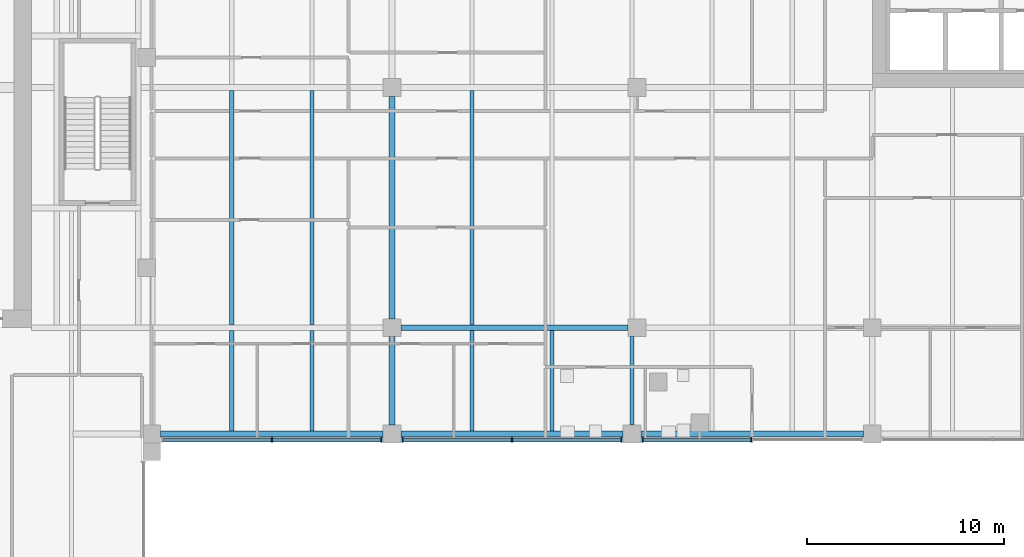
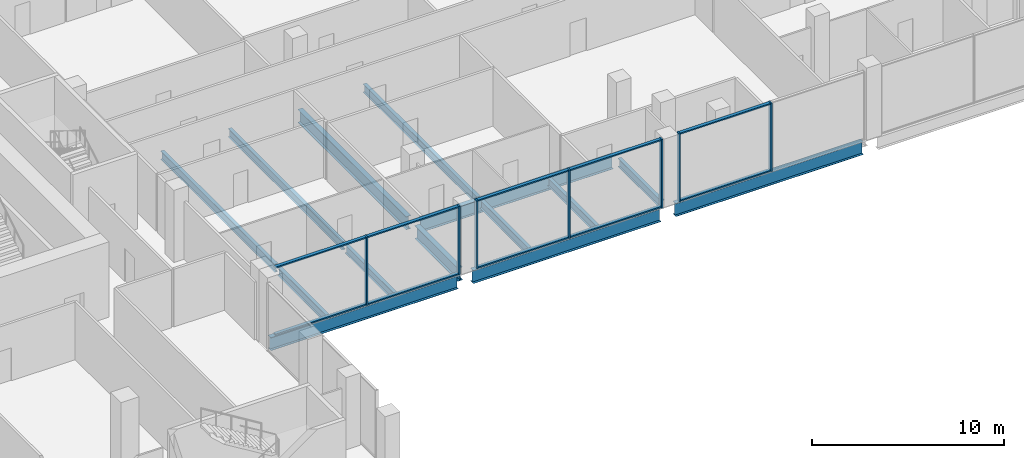
# One storey, part 7 of 33: 17 members, 14 beams, 3 elements without a shape of their own.
"""IFC4 building model written with IfcOpenShell, lengths in metres."""

from ifc_helpers import new_model, si_unit, direction, frame, origin, origin_2d, place, context, subcontext, project, spatial, rectangle, i_section, extrude, material, material_profile, profile_set, type_object, element, aggregate, save


model = new_model("IFC4")

# Units and contexts
model_context = context("Model", 3, precision=1e-05, world=origin(), true_north=direction((0.0, 1.0)))
body_context = subcontext(model_context, "Body", "Model", "MODEL_VIEW")
ifc_project = project(units=[si_unit("LENGTHUNIT", "METRE"), si_unit("AREAUNIT", "SQUARE_METRE"), si_unit("VOLUMEUNIT", "CUBIC_METRE"), si_unit("PLANEANGLEUNIT", "RADIAN"), si_unit("MASSUNIT", "GRAM", prefix="KILO")], contexts=[model_context])

# Site, building, storey
site_placement = place(None, origin())
site = spatial("IfcSite", under=ifc_project, at=site_placement, CompositionType="ELEMENT")
building_placement = place(site_placement, origin())
building = spatial("IfcBuilding", under=site, at=building_placement, Name="Tessera Gate Towers", CompositionType="ELEMENT")
storey_placement = place(building_placement, frame((0.0, 0.0, 12.0)))
storey = spatial("IfcBuildingStorey", under=building, at=storey_placement, Name="L02", CompositionType="ELEMENT", Elevation=12.0)

# Beams
ifc_material_1 = material(Name="Steel 350W", Category="steel")
ifc_material_profile_1 = material_profile(ifc_material_1, i_section(OverallWidth=0.2919921875, OverallDepth=0.8349609375, WebThickness=0.013916015625, FlangeThickness=0.018798828125, at=origin_2d()), Name="W840x176")
ifc_profile_set_1 = profile_set([ifc_material_profile_1], Name="Steel 350W")
beam_type_1 = type_object("IfcBeamType", Name="FLOOR GIRDER W840x176", PredefinedType="BEAM", material=ifc_profile_set_1)
for number, where, z_axis, x_axis, name in (
    (1, (61.449951171875, 19.0, -0.66748046875), (1.0, 0.0, 0.0), (0.0, 1.0, 0.0), "PD-GD-L02-364"),
    (2, (73.64990234375, 19.0, -0.66748046875), (1.0, 0.0, 0.0), (0.0, 1.0, 0.0), "PD-GD-L02-365"),
):
    element("IfcBeam", number, at=place(storey_placement, frame(where, z_axis=z_axis, x_axis=x_axis)), inside=storey, type_object=beam_type_1, Name=name, PredefinedType="BEAM", context=body_context, shape_type="SweptSolid", body=[
        extrude(i_section(OverallWidth=0.2919921875, OverallDepth=0.8349609375, WebThickness=0.013916015625, FlangeThickness=0.018798828125, at=origin_2d()), origin(), (0.0, 0.0, 1.0), 11.300048828125),
    ])
beam_1_placement = place(storey_placement, frame((85.85009765625, 19.0, -0.66748046875), z_axis=(1.0, 0.0, 0.0), x_axis=(0.0, 1.0, 0.0)))
element("IfcBeam", 3, at=beam_1_placement, inside=storey, type_object=beam_type_1, Name="PD-GD-L02-366", PredefinedType="BEAM", context=body_context, shape_type="SweptSolid", body=[
    extrude(i_section(OverallWidth=0.2919921875, OverallDepth=0.8349609375, WebThickness=0.013916015625, FlangeThickness=0.018798828125, at=origin_2d()), origin(), (0.0, 0.0, 1.0), 11.2998046875),
])
beam_2_placement = place(storey_placement, frame((73.64990234375, 24.39990234375, -0.66748046875), z_axis=(1.0, 0.0, 0.0), x_axis=(0.0, 1.0, 0.0)))
element("IfcBeam", 4, at=beam_2_placement, inside=storey, type_object=beam_type_1, Name="PD-GD-L02-384", PredefinedType="BEAM", context=body_context, shape_type="SweptSolid", body=[
    extrude(i_section(OverallWidth=0.2919921875, OverallDepth=0.8349609375, WebThickness=0.013916015625, FlangeThickness=0.018798828125, at=origin_2d()), origin(), (0.0, 0.0, 1.0), 11.550048828125),
])
beam_3_placement = place(storey_placement, frame((73.199951171875, 19.449951171875, -0.66748046875), z_axis=(0.0, 1.0, 0.0), x_axis=(-1.0, 0.0, 0.0)))
element("IfcBeam", 5, at=beam_3_placement, inside=storey, type_object=beam_type_1, Name="PD-GD-L02-427", PredefinedType="BEAM", context=body_context, shape_type="SweptSolid", body=[
    extrude(i_section(OverallWidth=0.2919921875, OverallDepth=0.8349609375, WebThickness=0.013916015625, FlangeThickness=0.018798828125, at=origin_2d()), origin(), (0.0, 0.0, 1.0), 4.5),
])
beam_4_placement = place(storey_placement, frame((73.199951171875, 24.85009765625, -0.66748046875), z_axis=(0.0, 1.0, 0.0), x_axis=(-1.0, 0.0, 0.0)))
element("IfcBeam", 6, at=beam_4_placement, inside=storey, type_object=beam_type_1, Name="PD-GD-L02-428", PredefinedType="BEAM", context=body_context, shape_type="SweptSolid", body=[
    extrude(i_section(OverallWidth=0.2919921875, OverallDepth=0.8349609375, WebThickness=0.013916015625, FlangeThickness=0.018798828125, at=origin_2d()), origin(), (0.0, 0.0, 1.0), 11.2998046875),
])
ifc_material_2 = material(Name="Steel 350W", Category="steel")
ifc_material_profile_2 = material_profile(ifc_material_2, i_section(OverallWidth=0.208984375, OverallDepth=0.528076171875, WebThickness=0.009521484375, FlangeThickness=0.01318359375, at=origin_2d()), Name="W530x82")
ifc_profile_set_2 = profile_set([ifc_material_profile_2], Name="Steel 350W")
beam_type_2 = type_object("IfcBeamType", Name="FLOOR SECONDARY W530x82", PredefinedType="BEAM", material=ifc_profile_set_2)
beam_5_placement = place(storey_placement, frame((65.066650390625, 19.14599609375, -0.513916015625), z_axis=(0.0, 1.0, 0.0), x_axis=(-1.0, 0.0, 0.0)))
element("IfcBeam", 7, at=beam_5_placement, inside=storey, type_object=beam_type_2, Name="PD-BM-L02-499", PredefinedType="BEAM", context=body_context, shape_type="SweptSolid", body=[
    extrude(i_section(OverallWidth=0.208984375, OverallDepth=0.528076171875, WebThickness=0.009521484375, FlangeThickness=0.01318359375, at=origin_2d()), origin(), (0.0, 0.0, 1.0), 5.10791015625),
])
beam_6_placement = place(storey_placement, frame((65.066650390625, 24.5458984375, -0.513916015625), z_axis=(0.0, 1.0, 0.0), x_axis=(-1.0, 0.0, 0.0)))
element("IfcBeam", 8, at=beam_6_placement, inside=storey, type_object=beam_type_2, Name="PD-BM-L02-500", PredefinedType="BEAM", context=body_context, shape_type="SweptSolid", body=[
    extrude(i_section(OverallWidth=0.208984375, OverallDepth=0.528076171875, WebThickness=0.009521484375, FlangeThickness=0.01318359375, at=origin_2d()), origin(), (0.0, 0.0, 1.0), 11.908203125),
])
beam_7_placement = place(storey_placement, frame((69.13330078125, 19.14599609375, -0.513916015625), z_axis=(0.0, 1.0, 0.0), x_axis=(-1.0, 0.0, 0.0)))
element("IfcBeam", 9, at=beam_7_placement, inside=storey, type_object=beam_type_2, Name="PD-BM-L02-503", PredefinedType="BEAM", context=body_context, shape_type="SweptSolid", body=[
    extrude(i_section(OverallWidth=0.208984375, OverallDepth=0.528076171875, WebThickness=0.009521484375, FlangeThickness=0.01318359375, at=origin_2d()), origin(), (0.0, 0.0, 1.0), 5.10791015625),
])
beam_8_placement = place(storey_placement, frame((69.13330078125, 24.5458984375, -0.513916015625), z_axis=(0.0, 1.0, 0.0), x_axis=(-1.0, 0.0, 0.0)))
element("IfcBeam", 10, at=beam_8_placement, inside=storey, type_object=beam_type_2, Name="PD-BM-L02-504", PredefinedType="BEAM", context=body_context, shape_type="SweptSolid", body=[
    extrude(i_section(OverallWidth=0.208984375, OverallDepth=0.528076171875, WebThickness=0.009521484375, FlangeThickness=0.01318359375, at=origin_2d()), origin(), (0.0, 0.0, 1.0), 11.908203125),
])
beam_9_placement = place(storey_placement, frame((77.2666015625, 19.14599609375, -0.513916015625), z_axis=(0.0, 1.0, 0.0), x_axis=(-1.0, 0.0, 0.0)))
element("IfcBeam", 11, at=beam_9_placement, inside=storey, type_object=beam_type_2, Name="PD-BM-L02-507", PredefinedType="BEAM", context=body_context, shape_type="SweptSolid", body=[
    extrude(i_section(OverallWidth=0.208984375, OverallDepth=0.528076171875, WebThickness=0.009521484375, FlangeThickness=0.01318359375, at=origin_2d()), origin(), (0.0, 0.0, 1.0), 5.10791015625),
])
beam_10_placement = place(storey_placement, frame((77.2666015625, 24.5458984375, -0.513916015625), z_axis=(0.0, 1.0, 0.0), x_axis=(-1.0, 0.0, 0.0)))
element("IfcBeam", 12, at=beam_10_placement, inside=storey, type_object=beam_type_2, Name="PD-BM-L02-508", PredefinedType="BEAM", context=body_context, shape_type="SweptSolid", body=[
    extrude(i_section(OverallWidth=0.208984375, OverallDepth=0.528076171875, WebThickness=0.009521484375, FlangeThickness=0.01318359375, at=origin_2d()), origin(), (0.0, 0.0, 1.0), 11.908203125),
])
beam_11_placement = place(storey_placement, frame((81.333251953125, 19.14599609375, -0.513916015625), z_axis=(0.0, 1.0, 0.0), x_axis=(-1.0, 0.0, 0.0)))
element("IfcBeam", 13, at=beam_11_placement, inside=storey, type_object=beam_type_2, Name="PD-BM-L02-511", PredefinedType="BEAM", context=body_context, shape_type="SweptSolid", body=[
    extrude(i_section(OverallWidth=0.208984375, OverallDepth=0.528076171875, WebThickness=0.009521484375, FlangeThickness=0.01318359375, at=origin_2d()), origin(), (0.0, 0.0, 1.0), 5.10791015625),
])
beam_12_placement = place(storey_placement, frame((85.39990234375, 19.449951171875, -0.513916015625), z_axis=(0.0, 1.0, 0.0), x_axis=(-1.0, 0.0, 0.0)))
element("IfcBeam", 14, at=beam_12_placement, inside=storey, type_object=beam_type_2, Name="PD-BM-L02-515", PredefinedType="BEAM", context=body_context, shape_type="SweptSolid", body=[
    extrude(i_section(OverallWidth=0.208984375, OverallDepth=0.528076171875, WebThickness=0.009521484375, FlangeThickness=0.01318359375, at=origin_2d()), origin(), (0.0, 0.0, 1.0), 4.5),
])

# Curtain wall, members
ifc_material_3 = material(Name="Aluminium frame", Category="aluminium")
curtain_wall_type = type_object("IfcCurtainWallType", Name="CW-S2 galleria glazing", PredefinedType="NOTDEFINED", material=ifc_material_3)
curtain_wall_1_placement = place(storey_placement, origin())
curtain_wall_1 = element("IfcCurtainWall", 15, at=curtain_wall_1_placement, inside=storey, type_object=curtain_wall_type, Name="Curtain wall galleria glazing 0153", PredefinedType="NOTDEFINED")
ifc_material_4 = material(Name="Aluminium frame", Category="aluminium")
ifc_material_profile_3 = material_profile(ifc_material_4, rectangle(XDim=0.080078125, YDim=0.25, at=origin_2d()), Name="AL 80x250")
ifc_profile_set_3 = profile_set([ifc_material_profile_3], Name="Aluminium frame")
member_type_1 = type_object("IfcMemberType", Name="MU-S2 mullion 80x250", PredefinedType="MULLION", material=ifc_profile_set_3)
member_1_placement = place(storey_placement, frame((67.10009765625, 18.699951171875, 0.0), z_axis=(0.0, 0.0, 1.0), x_axis=(1.0, 0.0, 0.0)))
member_1 = element("IfcMember", 16, at=member_1_placement, type_object=member_type_1, Name="PD-CW2-0153 mullion 2", PredefinedType="MULLION", context=body_context, shape_type="SweptSolid", body=[
    extrude(rectangle(XDim=0.080078125, YDim=0.25, at=origin_2d()), origin(), (0.0, 0.0, 1.0), 4.35009765625),
])
member_2_placement = place(storey_placement, frame((72.669921875, 18.699951171875, 0.0), z_axis=(0.0, 0.0, 1.0), x_axis=(1.0, 0.0, 0.0)))
member_2 = element("IfcMember", 17, at=member_2_placement, type_object=member_type_1, Name="PD-CW2-0153 mullion 3", PredefinedType="MULLION", context=body_context, shape_type="SweptSolid", body=[
    extrude(rectangle(XDim=0.080078125, YDim=0.25, at=origin_2d()), origin(), (0.0, 0.0, 1.0), 4.35009765625),
])

curtain_wall_2_placement = place(storey_placement, origin())
curtain_wall_2 = element("IfcCurtainWall", 18, at=curtain_wall_2_placement, inside=storey, type_object=curtain_wall_type, Name="Curtain wall galleria glazing 0154", PredefinedType="NOTDEFINED")
member_3_placement = place(storey_placement, frame((73.72998046875, 18.699951171875, 0.0), z_axis=(0.0, 0.0, 1.0), x_axis=(1.0, 0.0, 0.0)))
member_3 = element("IfcMember", 19, at=member_3_placement, type_object=member_type_1, Name="PD-CW2-0154 mullion 1", PredefinedType="MULLION", context=body_context, shape_type="SweptSolid", body=[
    extrude(rectangle(XDim=0.080078125, YDim=0.25, at=origin_2d()), origin(), (0.0, 0.0, 1.0), 4.35009765625),
])
member_4_placement = place(storey_placement, frame((79.300048828125, 18.699951171875, 0.0), z_axis=(0.0, 0.0, 1.0), x_axis=(1.0, 0.0, 0.0)))
member_4 = element("IfcMember", 20, at=member_4_placement, type_object=member_type_1, Name="PD-CW2-0154 mullion 2", PredefinedType="MULLION", context=body_context, shape_type="SweptSolid", body=[
    extrude(rectangle(XDim=0.080078125, YDim=0.25, at=origin_2d()), origin(), (0.0, 0.0, 1.0), 4.35009765625),
])
member_5_placement = place(storey_placement, frame((84.8701171875, 18.699951171875, 0.0), z_axis=(0.0, 0.0, 1.0), x_axis=(1.0, 0.0, 0.0)))
member_5 = element("IfcMember", 21, at=member_5_placement, type_object=member_type_1, Name="PD-CW2-0154 mullion 3", PredefinedType="MULLION", context=body_context, shape_type="SweptSolid", body=[
    extrude(rectangle(XDim=0.080078125, YDim=0.25, at=origin_2d()), origin(), (0.0, 0.0, 1.0), 4.35009765625),
])

curtain_wall_3_placement = place(storey_placement, origin())
curtain_wall_3 = element("IfcCurtainWall", 22, at=curtain_wall_3_placement, inside=storey, type_object=curtain_wall_type, Name="Curtain wall galleria glazing 0155", PredefinedType="NOTDEFINED")
member_6_placement = place(storey_placement, frame((85.929931640625, 18.699951171875, 0.0), z_axis=(0.0, 0.0, 1.0), x_axis=(1.0, 0.0, 0.0)))
member_6 = element("IfcMember", 23, at=member_6_placement, type_object=member_type_1, Name="PD-CW2-0155 mullion 1", PredefinedType="MULLION", context=body_context, shape_type="SweptSolid", body=[
    extrude(rectangle(XDim=0.080078125, YDim=0.25, at=origin_2d()), origin(), (0.0, 0.0, 1.0), 4.35009765625),
])
member_7_placement = place(storey_placement, frame((91.4599609375, 18.699951171875, 0.0), z_axis=(0.0, 0.0, 1.0), x_axis=(1.0, 0.0, 0.0)))
member_7 = element("IfcMember", 24, at=member_7_placement, type_object=member_type_1, Name="PD-CW2-0155 mullion 2", PredefinedType="MULLION", context=body_context, shape_type="SweptSolid", body=[
    extrude(rectangle(XDim=0.080078125, YDim=0.25, at=origin_2d()), origin(), (0.0, 0.0, 1.0), 4.35009765625),
])

# Member
ifc_material_5 = material(Name="Aluminium frame", Category="aluminium")
ifc_material_profile_4 = material_profile(ifc_material_5, rectangle(XDim=0.199951171875, YDim=0.080078125, at=origin_2d()), Name="AL 80x200")
ifc_profile_set_4 = profile_set([ifc_material_profile_4], Name="Aluminium frame")
member_type_2 = type_object("IfcMemberType", Name="TR-S2 transom 80x200", PredefinedType="USERDEFINED", material=ifc_profile_set_4)
member_8_placement = place(storey_placement, frame((61.570068359375, 18.699951171875, 0.0400390625), z_axis=(1.0, 0.0, 0.0), x_axis=(0.0, 1.0, 0.0)))
member_8 = element("IfcMember", 25, at=member_8_placement, type_object=member_type_2, Name="PD-CW2-0153 transom 1.1", ObjectType="TRANSOM", PredefinedType="USERDEFINED", context=body_context, shape_type="SweptSolid", body=[
    extrude(rectangle(XDim=0.199951171875, YDim=0.080078125, at=origin_2d()), origin(), (0.0, 0.0, 1.0), 5.489990234375),
])

member_9_placement = place(storey_placement, frame((61.570068359375, 18.699951171875, 4.31005859375), z_axis=(1.0, 0.0, 0.0), x_axis=(0.0, 1.0, 0.0)))
member_9 = element("IfcMember", 26, at=member_9_placement, type_object=member_type_2, Name="PD-CW2-0153 transom 1.2", ObjectType="TRANSOM", PredefinedType="USERDEFINED", context=body_context, shape_type="SweptSolid", body=[
    extrude(rectangle(XDim=0.199951171875, YDim=0.080078125, at=origin_2d()), origin(), (0.0, 0.0, 1.0), 5.489990234375),
])

member_10_placement = place(storey_placement, frame((67.139892578125, 18.699951171875, 0.0400390625), z_axis=(1.0, 0.0, 0.0), x_axis=(0.0, 1.0, 0.0)))
member_10 = element("IfcMember", 27, at=member_10_placement, type_object=member_type_2, Name="PD-CW2-0153 transom 2.1", ObjectType="TRANSOM", PredefinedType="USERDEFINED", context=body_context, shape_type="SweptSolid", body=[
    extrude(rectangle(XDim=0.199951171875, YDim=0.080078125, at=origin_2d()), origin(), (0.0, 0.0, 1.0), 5.489990234375),
])

member_11_placement = place(storey_placement, frame((67.139892578125, 18.699951171875, 4.31005859375), z_axis=(1.0, 0.0, 0.0), x_axis=(0.0, 1.0, 0.0)))
member_11 = element("IfcMember", 28, at=member_11_placement, type_object=member_type_2, Name="PD-CW2-0153 transom 2.2", ObjectType="TRANSOM", PredefinedType="USERDEFINED", context=body_context, shape_type="SweptSolid", body=[
    extrude(rectangle(XDim=0.199951171875, YDim=0.080078125, at=origin_2d()), origin(), (0.0, 0.0, 1.0), 5.489990234375),
])

aggregate(curtain_wall_1, [member_1, member_2, member_8, member_9, member_10, member_11])

member_12_placement = place(storey_placement, frame((73.77001953125, 18.699951171875, 0.0400390625), z_axis=(1.0, 0.0, 0.0), x_axis=(0.0, 1.0, 0.0)))
member_12 = element("IfcMember", 29, at=member_12_placement, type_object=member_type_2, Name="PD-CW2-0154 transom 1.1", ObjectType="TRANSOM", PredefinedType="USERDEFINED", context=body_context, shape_type="SweptSolid", body=[
    extrude(rectangle(XDim=0.199951171875, YDim=0.080078125, at=origin_2d()), origin(), (0.0, 0.0, 1.0), 5.489990234375),
])

member_13_placement = place(storey_placement, frame((73.77001953125, 18.699951171875, 4.31005859375), z_axis=(1.0, 0.0, 0.0), x_axis=(0.0, 1.0, 0.0)))
member_13 = element("IfcMember", 30, at=member_13_placement, type_object=member_type_2, Name="PD-CW2-0154 transom 1.2", ObjectType="TRANSOM", PredefinedType="USERDEFINED", context=body_context, shape_type="SweptSolid", body=[
    extrude(rectangle(XDim=0.199951171875, YDim=0.080078125, at=origin_2d()), origin(), (0.0, 0.0, 1.0), 5.489990234375),
])

member_14_placement = place(storey_placement, frame((79.340087890625, 18.699951171875, 0.0400390625), z_axis=(1.0, 0.0, 0.0), x_axis=(0.0, 1.0, 0.0)))
member_14 = element("IfcMember", 31, at=member_14_placement, type_object=member_type_2, Name="PD-CW2-0154 transom 2.1", ObjectType="TRANSOM", PredefinedType="USERDEFINED", context=body_context, shape_type="SweptSolid", body=[
    extrude(rectangle(XDim=0.199951171875, YDim=0.080078125, at=origin_2d()), origin(), (0.0, 0.0, 1.0), 5.489990234375),
])

member_15_placement = place(storey_placement, frame((79.340087890625, 18.699951171875, 4.31005859375), z_axis=(1.0, 0.0, 0.0), x_axis=(0.0, 1.0, 0.0)))
member_15 = element("IfcMember", 32, at=member_15_placement, type_object=member_type_2, Name="PD-CW2-0154 transom 2.2", ObjectType="TRANSOM", PredefinedType="USERDEFINED", context=body_context, shape_type="SweptSolid", body=[
    extrude(rectangle(XDim=0.199951171875, YDim=0.080078125, at=origin_2d()), origin(), (0.0, 0.0, 1.0), 5.489990234375),
])

aggregate(curtain_wall_2, [member_3, member_4, member_5, member_12, member_13, member_14, member_15])

member_16_placement = place(storey_placement, frame((85.969970703125, 18.699951171875, 0.0400390625), z_axis=(1.0, 0.0, 0.0), x_axis=(0.0, 1.0, 0.0)))
member_16 = element("IfcMember", 33, at=member_16_placement, type_object=member_type_2, Name="PD-CW2-0155 transom 1.1", ObjectType="TRANSOM", PredefinedType="USERDEFINED", context=body_context, shape_type="SweptSolid", body=[
    extrude(rectangle(XDim=0.199951171875, YDim=0.080078125, at=origin_2d()), origin(), (0.0, 0.0, 1.0), 5.449951171875),
])

member_17_placement = place(storey_placement, frame((85.969970703125, 18.699951171875, 4.31005859375), z_axis=(1.0, 0.0, 0.0), x_axis=(0.0, 1.0, 0.0)))
member_17 = element("IfcMember", 34, at=member_17_placement, type_object=member_type_2, Name="PD-CW2-0155 transom 1.2", ObjectType="TRANSOM", PredefinedType="USERDEFINED", context=body_context, shape_type="SweptSolid", body=[
    extrude(rectangle(XDim=0.199951171875, YDim=0.080078125, at=origin_2d()), origin(), (0.0, 0.0, 1.0), 5.449951171875),
])

aggregate(curtain_wall_3, [member_6, member_7, member_16, member_17])

save(model, "model.ifc")
